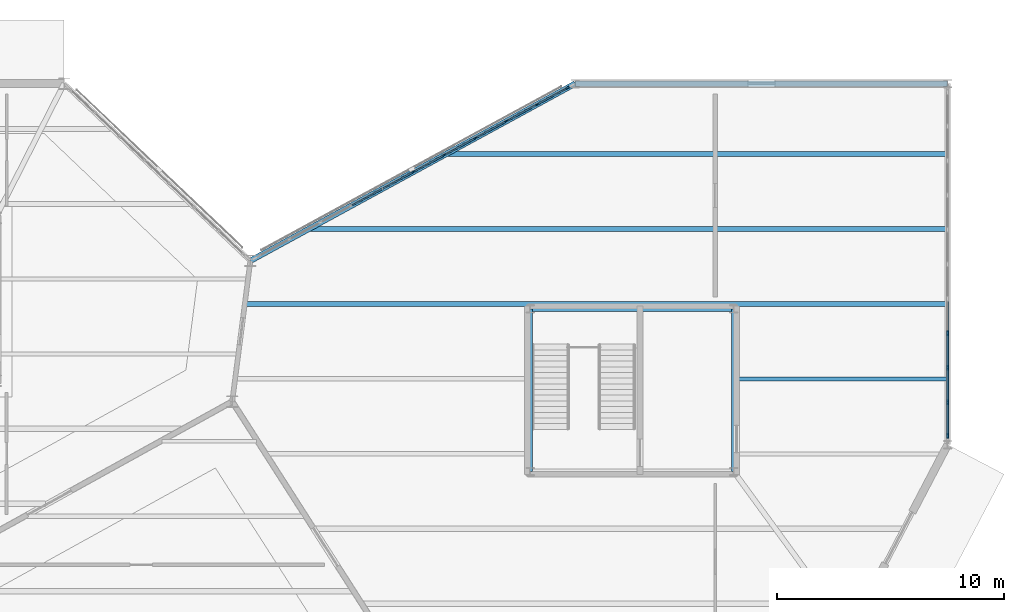
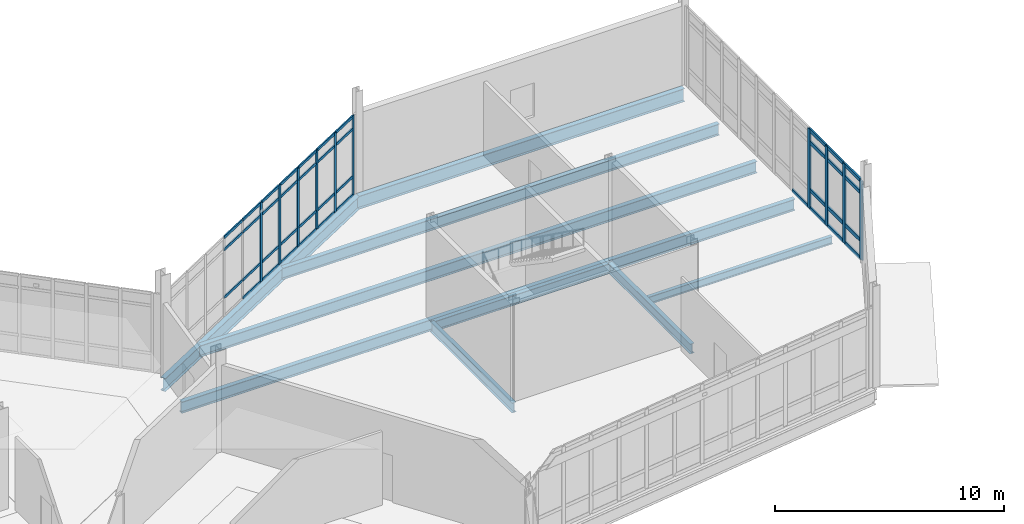
# One storey, part 66 of 113: 50 members, 9 beams, 2 elements without a shape of their own.
"""IFC4 building model written with IfcOpenShell, lengths in metres."""

from ifc_helpers import new_model, si_unit, direction, frame, origin, origin_2d, place, context, subcontext, project, spatial, rectangle, i_section, extrude, material, material_profile, profile_set, type_object, element, aggregate, save


model = new_model("IFC4")

# Units and contexts
model_context = context("Model", 3, precision=1e-05, world=origin(), true_north=direction((0.0, 1.0)))
body_context = subcontext(model_context, "Body", "Model", "MODEL_VIEW")
ifc_project = project(units=[si_unit("LENGTHUNIT", "METRE"), si_unit("AREAUNIT", "SQUARE_METRE"), si_unit("VOLUMEUNIT", "CUBIC_METRE"), si_unit("PLANEANGLEUNIT", "RADIAN"), si_unit("MASSUNIT", "GRAM", prefix="KILO")], contexts=[model_context])

# Site, building, storey
site_placement = place(None, origin())
site = spatial("IfcSite", under=ifc_project, at=site_placement, CompositionType="ELEMENT")
building_placement = place(site_placement, origin())
building = spatial("IfcBuilding", under=site, at=building_placement, Name="Tameran Prism Museum", CompositionType="ELEMENT")
storey_placement = place(building_placement, origin())
storey = spatial("IfcBuildingStorey", under=building, at=storey_placement, Name="L00", CompositionType="ELEMENT", Elevation=0.0)

# Beams
ifc_material_1 = material(Name="Steel Grade 300PLUS (300 MPa)", Category="steel")
ifc_material_profile_1 = material_profile(ifc_material_1, i_section(OverallWidth=0.177978515625, OverallDepth=0.403076171875, WebThickness=0.007568359375, FlangeThickness=0.010986328125, FilletRadius=0.011474609375, at=origin_2d()))
ifc_profile_set_1 = profile_set([ifc_material_profile_1])
beam_type_1 = type_object("IfcBeamType", Name="BM-J410B", PredefinedType="JOIST", material=ifc_profile_set_1)
beam_1_placement = place(storey_placement, frame((156.97998046875, 99.0, -0.44140625), z_axis=(1.0, 0.0, 0.0), x_axis=(0.0, 1.0, 0.0)))
element("IfcBeam", 1, at=beam_1_placement, inside=storey, type_object=beam_type_1, Name="Floor Beam BM-0195", PredefinedType="JOIST", context=body_context, shape_type="SweptSolid", body=[
    extrude(i_section(OverallWidth=0.177978515625, OverallDepth=0.403076171875, WebThickness=0.007568359375, FlangeThickness=0.010986328125, FilletRadius=0.011474609375, at=origin_2d()), origin(), (0.0, 0.0, 1.0), 9.380126953125),
])
ifc_material_2 = material(Name="Steel Grade 300PLUS (300 MPa)", Category="steel")
ifc_material_profile_2 = material_profile(ifc_material_2, i_section(OverallWidth=0.208984375, OverallDepth=0.528076171875, WebThickness=0.009521484375, FlangeThickness=0.01318359375, FilletRadius=0.013916015625, at=origin_2d()))
ifc_profile_set_2 = profile_set([ifc_material_profile_2])
beam_type_2 = type_object("IfcBeamType", Name="BM-SP530B", PredefinedType="SPANDREL", material=ifc_profile_set_2)
beam_2_placement = place(storey_placement, frame((156.97998046875, 94.919921875, -0.50390625), z_axis=(0.0, 1.0, 0.0), x_axis=(-1.0, 0.0, 0.0)))
element("IfcBeam", 2, at=beam_2_placement, inside=storey, type_object=beam_type_2, Name="Core Ring Beam CTB-0143", PredefinedType="SPANDREL", context=body_context, shape_type="SweptSolid", body=[
    extrude(i_section(OverallWidth=0.208984375, OverallDepth=0.528076171875, WebThickness=0.009521484375, FlangeThickness=0.01318359375, FilletRadius=0.013916015625, at=origin_2d()), origin(), (0.0, 0.0, 1.0), 7.16015625),
])
beam_3_placement = place(storey_placement, frame((156.97998046875, 102.080078125, -0.50390625), z_axis=(-1.0, 0.0, 0.0), x_axis=(0.0, -1.0, 0.0)))
element("IfcBeam", 3, at=beam_3_placement, inside=storey, type_object=beam_type_2, Name="Core Ring Beam CTB-0144", PredefinedType="SPANDREL", context=body_context, shape_type="SweptSolid", body=[
    extrude(i_section(OverallWidth=0.208984375, OverallDepth=0.528076171875, WebThickness=0.009521484375, FlangeThickness=0.01318359375, FilletRadius=0.013916015625, at=origin_2d()), origin(), (0.0, 0.0, 1.0), 8.9599609375),
])
beam_4_placement = place(storey_placement, frame((148.02001953125, 102.080078125, -0.50390625), z_axis=(0.0, -1.0, 0.0), x_axis=(1.0, 0.0, 0.0)))
element("IfcBeam", 4, at=beam_4_placement, inside=storey, type_object=beam_type_2, Name="Core Ring Beam CTB-0145", PredefinedType="SPANDREL", context=body_context, shape_type="SweptSolid", body=[
    extrude(i_section(OverallWidth=0.208984375, OverallDepth=0.528076171875, WebThickness=0.009521484375, FlangeThickness=0.01318359375, FilletRadius=0.013916015625, at=origin_2d()), origin(), (0.0, 0.0, 1.0), 7.16015625),
])
ifc_material_3 = material(Name="Steel Grade 350 (350 MPa)", Category="steel")
ifc_material_profile_3 = material_profile(ifc_material_3, i_section(OverallWidth=0.25, OverallDepth=0.699951171875, WebThickness=0.010009765625, FlangeThickness=0.02001953125, at=origin_2d()))
ifc_profile_set_3 = profile_set([ifc_material_profile_3])
beam_type_3 = type_object("IfcBeamType", Name="BM-SP700", PredefinedType="SPANDREL", material=ifc_profile_set_3)
beam_5_placement = place(storey_placement, frame((166.39990234375, 112.0, -0.590087890625), z_axis=(-1.0, 0.0, 0.0), x_axis=(0.0, -1.0, 0.0)))
element("IfcBeam", 5, at=beam_5_placement, inside=storey, type_object=beam_type_3, Name="Perimeter Spandrel SP-0019", PredefinedType="SPANDREL", context=body_context, shape_type="SweptSolid", body=[
    extrude(i_section(OverallWidth=0.25, OverallDepth=0.699951171875, WebThickness=0.010009765625, FlangeThickness=0.02001953125, at=origin_2d()), origin(), (0.0, 0.0, 1.0), 16.39990234375),
])
beam_6_placement = place(storey_placement, frame((150.0, 112.0, -0.590087890625), z_axis=(-0.877895000122, -0.478853180798, 0.0), x_axis=(0.478853180798, -0.877895000122, 0.0)))
element("IfcBeam", 6, at=beam_6_placement, inside=storey, type_object=beam_type_3, Name="Perimeter Spandrel SP-0020", PredefinedType="SPANDREL", context=body_context, shape_type="SweptSolid", body=[
    extrude(i_section(OverallWidth=0.25, OverallDepth=0.699951171875, WebThickness=0.010009765625, FlangeThickness=0.02001953125, at=origin_2d()), origin(), (0.0, 0.0, 1.0), 16.2890625),
])
ifc_material_4 = material(Name="Steel Grade 300PLUS (300 MPa)", Category="steel")
ifc_material_profile_4 = material_profile(ifc_material_4, i_section(OverallWidth=0.22802734375, OverallDepth=0.60693359375, WebThickness=0.01123046875, FlangeThickness=0.017333984375, FilletRadius=0.013916015625, at=origin_2d()))
ifc_profile_set_4 = profile_set([ifc_material_profile_4])
beam_type_4 = type_object("IfcBeamType", Name="BM-UB610B", PredefinedType="BEAM", material=ifc_profile_set_4)
beam_7_placement = place(storey_placement, frame((135.4951171875, 102.300048828125, -0.54345703125), z_axis=(1.0, 0.0, 0.0), x_axis=(0.0, 1.0, 0.0)))
element("IfcBeam", 7, at=beam_7_placement, inside=storey, type_object=beam_type_4, Name="Floor Beam BM-0196", PredefinedType="BEAM", context=body_context, shape_type="SweptSolid", body=[
    extrude(i_section(OverallWidth=0.22802734375, OverallDepth=0.60693359375, WebThickness=0.01123046875, FlangeThickness=0.017333984375, FilletRadius=0.013916015625, at=origin_2d()), origin(), (0.0, 0.0, 1.0), 30.864990234375),
])
beam_8_placement = place(storey_placement, frame((138.35009765625, 105.60009765625, -0.54345703125), z_axis=(1.0, 0.0, 0.0), x_axis=(0.0, 1.0, 0.0)))
element("IfcBeam", 8, at=beam_8_placement, inside=storey, type_object=beam_type_4, Name="Floor Beam BM-0197", PredefinedType="BEAM", context=body_context, shape_type="SweptSolid", body=[
    extrude(i_section(OverallWidth=0.22802734375, OverallDepth=0.60693359375, WebThickness=0.01123046875, FlangeThickness=0.017333984375, FilletRadius=0.013916015625, at=origin_2d()), origin(), (0.0, 0.0, 1.0), 28.010009765625),
])
beam_9_placement = place(storey_placement, frame((144.39990234375, 108.89990234375, -0.54345703125), z_axis=(1.0, 0.0, 0.0), x_axis=(0.0, 1.0, 0.0)))
element("IfcBeam", 9, at=beam_9_placement, inside=storey, type_object=beam_type_4, Name="Floor Beam BM-0198", PredefinedType="BEAM", context=body_context, shape_type="SweptSolid", body=[
    extrude(i_section(OverallWidth=0.22802734375, OverallDepth=0.60693359375, WebThickness=0.01123046875, FlangeThickness=0.017333984375, FilletRadius=0.013916015625, at=origin_2d()), origin(), (0.0, 0.0, 1.0), 21.960205078125),
])

# Curtain wall, members
ifc_material_5 = material(Name="Anodised Aluminium 6063-T6 and Cyclone Solar Glass", Category="aluminium")
curtain_wall_type_1 = type_object("IfcCurtainWallType", Name="CW-FAC-1553x422", PredefinedType="USERDEFINED", material=ifc_material_5)
curtain_wall_1_placement = place(storey_placement, origin())
curtain_wall_1 = element("IfcCurtainWall", 10, at=curtain_wall_1_placement, inside=storey, type_object=curtain_wall_type_1, Name="Unitised Curtain Wall CW-027", ObjectType="UNITISED CURTAIN WALL", PredefinedType="USERDEFINED")
ifc_material_6 = material(Name="Anodised Aluminium Alloy 6063-T6", Category="aluminium")
ifc_material_profile_5 = material_profile(ifc_material_6, rectangle(XDim=0.06494140625, YDim=0.159912109375, at=origin_2d()))
ifc_profile_set_5 = profile_set([ifc_material_profile_5])
member_type_1 = type_object("IfcMemberType", Name="CW-MUL-A", PredefinedType="MULLION", material=ifc_profile_set_5)
member_1_placement = place(storey_placement, frame((142.87646484375, 108.114501953125, 0.0), z_axis=(0.0, 0.0, 1.0), x_axis=(-0.478793474805, 0.877927564486, 0.0)))
member_1 = element("IfcMember", 11, at=member_1_placement, type_object=member_type_1, Name="CW-027 mullion 6", PredefinedType="MULLION", context=body_context, shape_type="SweptSolid", body=[
    extrude(rectangle(XDim=0.06494140625, YDim=0.159912109375, at=origin_2d()), origin(), (0.0, 0.0, 1.0), 4.219970703125),
])
member_2_placement = place(storey_placement, frame((144.23974609375, 108.85791015625, 0.0), z_axis=(0.0, 0.0, 1.0), x_axis=(-0.478793474805, 0.877927564486, 0.0)))
member_2 = element("IfcMember", 12, at=member_2_placement, type_object=member_type_1, Name="CW-027 mullion 7", PredefinedType="MULLION", context=body_context, shape_type="SweptSolid", body=[
    extrude(rectangle(XDim=0.06494140625, YDim=0.159912109375, at=origin_2d()), origin(), (0.0, 0.0, 1.0), 4.219970703125),
])
member_3_placement = place(storey_placement, frame((145.60302734375, 109.6015625, 0.0), z_axis=(0.0, 0.0, 1.0), x_axis=(-0.478793474805, 0.877927564486, 0.0)))
member_3 = element("IfcMember", 13, at=member_3_placement, type_object=member_type_1, Name="CW-027 mullion 8", PredefinedType="MULLION", context=body_context, shape_type="SweptSolid", body=[
    extrude(rectangle(XDim=0.06494140625, YDim=0.159912109375, at=origin_2d()), origin(), (0.0, 0.0, 1.0), 4.219970703125),
])
member_4_placement = place(storey_placement, frame((146.96630859375, 110.344970703125, 0.0), z_axis=(0.0, 0.0, 1.0), x_axis=(-0.478793474805, 0.877927564486, 0.0)))
member_4 = element("IfcMember", 14, at=member_4_placement, type_object=member_type_1, Name="CW-027 mullion 9", PredefinedType="MULLION", context=body_context, shape_type="SweptSolid", body=[
    extrude(rectangle(XDim=0.06494140625, YDim=0.159912109375, at=origin_2d()), origin(), (0.0, 0.0, 1.0), 4.219970703125),
])
member_5_placement = place(storey_placement, frame((148.32958984375, 111.08837890625, 0.0), z_axis=(0.0, 0.0, 1.0), x_axis=(-0.478793474805, 0.877927564486, 0.0)))
member_5 = element("IfcMember", 15, at=member_5_placement, type_object=member_type_1, Name="CW-027 mullion 10", PredefinedType="MULLION", context=body_context, shape_type="SweptSolid", body=[
    extrude(rectangle(XDim=0.06494140625, YDim=0.159912109375, at=origin_2d()), origin(), (0.0, 0.0, 1.0), 4.219970703125),
])
member_6_placement = place(storey_placement, frame((149.66455078125, 111.81640625, 0.0), z_axis=(0.0, 0.0, 1.0), x_axis=(-0.478793474805, 0.877927564486, 0.0)))
member_6 = element("IfcMember", 16, at=member_6_placement, type_object=member_type_1, Name="CW-027 mullion 11", PredefinedType="MULLION", context=body_context, shape_type="SweptSolid", body=[
    extrude(rectangle(XDim=0.06494140625, YDim=0.159912109375, at=origin_2d()), origin(), (0.0, 0.0, 1.0), 4.219970703125),
])

ifc_material_7 = material(Name="Anodised Aluminium 6063-T6 and Cyclone Solar Glass", Category="aluminium")
curtain_wall_type_2 = type_object("IfcCurtainWallType", Name="CW-FAC-1520x422", PredefinedType="USERDEFINED", material=ifc_material_7)
curtain_wall_2_placement = place(storey_placement, origin())
curtain_wall_2 = element("IfcCurtainWall", 17, at=curtain_wall_2_placement, inside=storey, type_object=curtain_wall_type_2, Name="Unitised Curtain Wall CW-026", ObjectType="UNITISED CURTAIN WALL", PredefinedType="USERDEFINED")
ifc_material_8 = material(Name="Anodised Aluminium Alloy 6063-T6", Category="aluminium")
ifc_material_profile_6 = material_profile(ifc_material_8, rectangle(XDim=0.080078125, YDim=0.219970703125, at=origin_2d()))
ifc_profile_set_6 = profile_set([ifc_material_profile_6])
member_type_2 = type_object("IfcMemberType", Name="CW-MUL-D", PredefinedType="MULLION", material=ifc_profile_set_6)
member_7_placement = place(storey_placement, frame((166.39990234375, 101.010009765625, 0.0), z_axis=(0.0, 0.0, 1.0), x_axis=(1.0, 0.0, 0.0)))
member_7 = element("IfcMember", 18, at=member_7_placement, type_object=member_type_2, Name="CW-026 mullion 8", PredefinedType="MULLION", context=body_context, shape_type="SweptSolid", body=[
    extrude(rectangle(XDim=0.080078125, YDim=0.219970703125, at=origin_2d()), origin(), (0.0, 0.0, 1.0), 4.219970703125),
])
member_8_placement = place(storey_placement, frame((166.39990234375, 99.489990234375, 0.0), z_axis=(0.0, 0.0, 1.0), x_axis=(1.0, 0.0, 0.0)))
member_8 = element("IfcMember", 19, at=member_8_placement, type_object=member_type_2, Name="CW-026 mullion 9", PredefinedType="MULLION", context=body_context, shape_type="SweptSolid", body=[
    extrude(rectangle(XDim=0.080078125, YDim=0.219970703125, at=origin_2d()), origin(), (0.0, 0.0, 1.0), 4.219970703125),
])
member_9_placement = place(storey_placement, frame((166.39990234375, 97.969970703125, 0.0), z_axis=(0.0, 0.0, 1.0), x_axis=(1.0, 0.0, 0.0)))
member_9 = element("IfcMember", 20, at=member_9_placement, type_object=member_type_2, Name="CW-026 mullion 10", PredefinedType="MULLION", context=body_context, shape_type="SweptSolid", body=[
    extrude(rectangle(XDim=0.080078125, YDim=0.219970703125, at=origin_2d()), origin(), (0.0, 0.0, 1.0), 4.219970703125),
])
member_10_placement = place(storey_placement, frame((166.39990234375, 96.489990234375, 0.0), z_axis=(0.0, 0.0, 1.0), x_axis=(1.0, 0.0, 0.0)))
member_10 = element("IfcMember", 21, at=member_10_placement, type_object=member_type_2, Name="CW-026 mullion 11", PredefinedType="MULLION", context=body_context, shape_type="SweptSolid", body=[
    extrude(rectangle(XDim=0.080078125, YDim=0.219970703125, at=origin_2d()), origin(), (0.0, 0.0, 1.0), 4.219970703125),
])

# Member
ifc_material_9 = material(Name="Anodised Aluminium Alloy 6063-T6", Category="aluminium")
ifc_material_profile_7 = material_profile(ifc_material_9, rectangle(XDim=0.06494140625, YDim=0.139892578125, at=origin_2d()))
ifc_profile_set_7 = profile_set([ifc_material_profile_7])
member_type_3 = type_object("IfcMemberType", Name="CW-TRN-A", PredefinedType="USERDEFINED", material=ifc_profile_set_7)
member_11_placement = place(storey_placement, frame((140.178466796875, 106.64306640625, 1.0), z_axis=(0.877908114904, 0.478829136316, 0.0), x_axis=(-0.478829136316, 0.877908114904, 0.0)))
member_11 = element("IfcMember", 22, at=member_11_placement, type_object=member_type_3, Name="CW-027 transom 4.2", ObjectType="TRANSOM", PredefinedType="USERDEFINED", context=body_context, shape_type="SweptSolid", body=[
    extrude(rectangle(XDim=0.06494140625, YDim=0.139892578125, at=origin_2d()), origin(), (0.0, 0.0, 1.0), 1.48779296875),
])

member_12_placement = place(storey_placement, frame((140.178466796875, 106.64306640625, 3.5400390625), z_axis=(0.877908114904, 0.478829136316, 0.0), x_axis=(-0.478829136316, 0.877908114904, 0.0)))
member_12 = element("IfcMember", 23, at=member_12_placement, type_object=member_type_3, Name="CW-027 transom 4.3", ObjectType="TRANSOM", PredefinedType="USERDEFINED", context=body_context, shape_type="SweptSolid", body=[
    extrude(rectangle(XDim=0.06494140625, YDim=0.139892578125, at=origin_2d()), origin(), (0.0, 0.0, 1.0), 1.48779296875),
])

member_13_placement = place(storey_placement, frame((140.178466796875, 106.64306640625, 4.1875), z_axis=(0.877908114904, 0.478829136316, 0.0), x_axis=(-0.478829136316, 0.877908114904, 0.0)))
member_13 = element("IfcMember", 24, at=member_13_placement, type_object=member_type_3, Name="CW-027 transom 4.4", ObjectType="TRANSOM", PredefinedType="USERDEFINED", context=body_context, shape_type="SweptSolid", body=[
    extrude(rectangle(XDim=0.06494140625, YDim=0.139892578125, at=origin_2d()), origin(), (0.0, 0.0, 1.0), 1.48779296875),
])

member_14_placement = place(storey_placement, frame((141.541748046875, 107.386474609375, 0.032470703125), z_axis=(0.877908114904, 0.478829136316, 0.0), x_axis=(-0.478829136316, 0.877908114904, 0.0)))
member_14 = element("IfcMember", 25, at=member_14_placement, type_object=member_type_3, Name="CW-027 transom 5.1", ObjectType="TRANSOM", PredefinedType="USERDEFINED", context=body_context, shape_type="SweptSolid", body=[
    extrude(rectangle(XDim=0.06494140625, YDim=0.139892578125, at=origin_2d()), origin(), (0.0, 0.0, 1.0), 1.48779296875),
])

member_15_placement = place(storey_placement, frame((141.541748046875, 107.386474609375, 1.0), z_axis=(0.877908114904, 0.478829136316, 0.0), x_axis=(-0.478829136316, 0.877908114904, 0.0)))
member_15 = element("IfcMember", 26, at=member_15_placement, type_object=member_type_3, Name="CW-027 transom 5.2", ObjectType="TRANSOM", PredefinedType="USERDEFINED", context=body_context, shape_type="SweptSolid", body=[
    extrude(rectangle(XDim=0.06494140625, YDim=0.139892578125, at=origin_2d()), origin(), (0.0, 0.0, 1.0), 1.48779296875),
])

member_16_placement = place(storey_placement, frame((141.541748046875, 107.386474609375, 3.5400390625), z_axis=(0.877908114904, 0.478829136316, 0.0), x_axis=(-0.478829136316, 0.877908114904, 0.0)))
member_16 = element("IfcMember", 27, at=member_16_placement, type_object=member_type_3, Name="CW-027 transom 5.3", ObjectType="TRANSOM", PredefinedType="USERDEFINED", context=body_context, shape_type="SweptSolid", body=[
    extrude(rectangle(XDim=0.06494140625, YDim=0.139892578125, at=origin_2d()), origin(), (0.0, 0.0, 1.0), 1.48779296875),
])

member_17_placement = place(storey_placement, frame((141.541748046875, 107.386474609375, 4.1875), z_axis=(0.877908114904, 0.478829136316, 0.0), x_axis=(-0.478829136316, 0.877908114904, 0.0)))
member_17 = element("IfcMember", 28, at=member_17_placement, type_object=member_type_3, Name="CW-027 transom 5.4", ObjectType="TRANSOM", PredefinedType="USERDEFINED", context=body_context, shape_type="SweptSolid", body=[
    extrude(rectangle(XDim=0.06494140625, YDim=0.139892578125, at=origin_2d()), origin(), (0.0, 0.0, 1.0), 1.48779296875),
])

member_18_placement = place(storey_placement, frame((142.905029296875, 108.130126953125, 0.032470703125), z_axis=(0.877908114904, 0.478829136316, 0.0), x_axis=(-0.478829136316, 0.877908114904, 0.0)))
member_18 = element("IfcMember", 29, at=member_18_placement, type_object=member_type_3, Name="CW-027 transom 6.1", ObjectType="TRANSOM", PredefinedType="USERDEFINED", context=body_context, shape_type="SweptSolid", body=[
    extrude(rectangle(XDim=0.06494140625, YDim=0.139892578125, at=origin_2d()), origin(), (0.0, 0.0, 1.0), 1.48779296875),
])

member_19_placement = place(storey_placement, frame((142.905029296875, 108.130126953125, 1.0), z_axis=(0.877908114904, 0.478829136316, 0.0), x_axis=(-0.478829136316, 0.877908114904, 0.0)))
member_19 = element("IfcMember", 30, at=member_19_placement, type_object=member_type_3, Name="CW-027 transom 6.2", ObjectType="TRANSOM", PredefinedType="USERDEFINED", context=body_context, shape_type="SweptSolid", body=[
    extrude(rectangle(XDim=0.06494140625, YDim=0.139892578125, at=origin_2d()), origin(), (0.0, 0.0, 1.0), 1.48779296875),
])

member_20_placement = place(storey_placement, frame((142.905029296875, 108.130126953125, 3.5400390625), z_axis=(0.877908114904, 0.478829136316, 0.0), x_axis=(-0.478829136316, 0.877908114904, 0.0)))
member_20 = element("IfcMember", 31, at=member_20_placement, type_object=member_type_3, Name="CW-027 transom 6.3", ObjectType="TRANSOM", PredefinedType="USERDEFINED", context=body_context, shape_type="SweptSolid", body=[
    extrude(rectangle(XDim=0.06494140625, YDim=0.139892578125, at=origin_2d()), origin(), (0.0, 0.0, 1.0), 1.48779296875),
])

member_21_placement = place(storey_placement, frame((142.905029296875, 108.130126953125, 4.1875), z_axis=(0.877908114904, 0.478829136316, 0.0), x_axis=(-0.478829136316, 0.877908114904, 0.0)))
member_21 = element("IfcMember", 32, at=member_21_placement, type_object=member_type_3, Name="CW-027 transom 6.4", ObjectType="TRANSOM", PredefinedType="USERDEFINED", context=body_context, shape_type="SweptSolid", body=[
    extrude(rectangle(XDim=0.06494140625, YDim=0.139892578125, at=origin_2d()), origin(), (0.0, 0.0, 1.0), 1.48779296875),
])

member_22_placement = place(storey_placement, frame((144.268310546875, 108.87353515625, 0.032470703125), z_axis=(0.877908114904, 0.478829136316, 0.0), x_axis=(-0.478829136316, 0.877908114904, 0.0)))
member_22 = element("IfcMember", 33, at=member_22_placement, type_object=member_type_3, Name="CW-027 transom 7.1", ObjectType="TRANSOM", PredefinedType="USERDEFINED", context=body_context, shape_type="SweptSolid", body=[
    extrude(rectangle(XDim=0.06494140625, YDim=0.139892578125, at=origin_2d()), origin(), (0.0, 0.0, 1.0), 1.48779296875),
])

member_23_placement = place(storey_placement, frame((144.268310546875, 108.87353515625, 1.0), z_axis=(0.877908114904, 0.478829136316, 0.0), x_axis=(-0.478829136316, 0.877908114904, 0.0)))
member_23 = element("IfcMember", 34, at=member_23_placement, type_object=member_type_3, Name="CW-027 transom 7.2", ObjectType="TRANSOM", PredefinedType="USERDEFINED", context=body_context, shape_type="SweptSolid", body=[
    extrude(rectangle(XDim=0.06494140625, YDim=0.139892578125, at=origin_2d()), origin(), (0.0, 0.0, 1.0), 1.48779296875),
])

member_24_placement = place(storey_placement, frame((144.268310546875, 108.87353515625, 3.5400390625), z_axis=(0.877908114904, 0.478829136316, 0.0), x_axis=(-0.478829136316, 0.877908114904, 0.0)))
member_24 = element("IfcMember", 35, at=member_24_placement, type_object=member_type_3, Name="CW-027 transom 7.3", ObjectType="TRANSOM", PredefinedType="USERDEFINED", context=body_context, shape_type="SweptSolid", body=[
    extrude(rectangle(XDim=0.06494140625, YDim=0.139892578125, at=origin_2d()), origin(), (0.0, 0.0, 1.0), 1.48779296875),
])

member_25_placement = place(storey_placement, frame((144.268310546875, 108.87353515625, 4.1875), z_axis=(0.877908114904, 0.478829136316, 0.0), x_axis=(-0.478829136316, 0.877908114904, 0.0)))
member_25 = element("IfcMember", 36, at=member_25_placement, type_object=member_type_3, Name="CW-027 transom 7.4", ObjectType="TRANSOM", PredefinedType="USERDEFINED", context=body_context, shape_type="SweptSolid", body=[
    extrude(rectangle(XDim=0.06494140625, YDim=0.139892578125, at=origin_2d()), origin(), (0.0, 0.0, 1.0), 1.48779296875),
])

member_26_placement = place(storey_placement, frame((145.631591796875, 109.616943359375, 0.032470703125), z_axis=(0.877945730035, 0.478760164501, 0.0), x_axis=(-0.478760164501, 0.877945730035, 0.0)))
member_26 = element("IfcMember", 37, at=member_26_placement, type_object=member_type_3, Name="CW-027 transom 8.1", ObjectType="TRANSOM", PredefinedType="USERDEFINED", context=body_context, shape_type="SweptSolid", body=[
    extrude(rectangle(XDim=0.06494140625, YDim=0.139892578125, at=origin_2d()), origin(), (0.0, 0.0, 1.0), 1.488037109375),
])

member_27_placement = place(storey_placement, frame((145.631591796875, 109.616943359375, 1.0), z_axis=(0.877945730035, 0.478760164501, 0.0), x_axis=(-0.478760164501, 0.877945730035, 0.0)))
member_27 = element("IfcMember", 38, at=member_27_placement, type_object=member_type_3, Name="CW-027 transom 8.2", ObjectType="TRANSOM", PredefinedType="USERDEFINED", context=body_context, shape_type="SweptSolid", body=[
    extrude(rectangle(XDim=0.06494140625, YDim=0.139892578125, at=origin_2d()), origin(), (0.0, 0.0, 1.0), 1.488037109375),
])

member_28_placement = place(storey_placement, frame((145.631591796875, 109.616943359375, 3.5400390625), z_axis=(0.877945730035, 0.478760164501, 0.0), x_axis=(-0.478760164501, 0.877945730035, 0.0)))
member_28 = element("IfcMember", 39, at=member_28_placement, type_object=member_type_3, Name="CW-027 transom 8.3", ObjectType="TRANSOM", PredefinedType="USERDEFINED", context=body_context, shape_type="SweptSolid", body=[
    extrude(rectangle(XDim=0.06494140625, YDim=0.139892578125, at=origin_2d()), origin(), (0.0, 0.0, 1.0), 1.488037109375),
])

member_29_placement = place(storey_placement, frame((145.631591796875, 109.616943359375, 4.1875), z_axis=(0.877945730035, 0.478760164501, 0.0), x_axis=(-0.478760164501, 0.877945730035, 0.0)))
member_29 = element("IfcMember", 40, at=member_29_placement, type_object=member_type_3, Name="CW-027 transom 8.4", ObjectType="TRANSOM", PredefinedType="USERDEFINED", context=body_context, shape_type="SweptSolid", body=[
    extrude(rectangle(XDim=0.06494140625, YDim=0.139892578125, at=origin_2d()), origin(), (0.0, 0.0, 1.0), 1.488037109375),
])

member_30_placement = place(storey_placement, frame((146.994873046875, 110.360595703125, 0.032470703125), z_axis=(0.877945730035, 0.478760164501, 0.0), x_axis=(-0.478760164501, 0.877945730035, 0.0)))
member_30 = element("IfcMember", 41, at=member_30_placement, type_object=member_type_3, Name="CW-027 transom 9.1", ObjectType="TRANSOM", PredefinedType="USERDEFINED", context=body_context, shape_type="SweptSolid", body=[
    extrude(rectangle(XDim=0.06494140625, YDim=0.139892578125, at=origin_2d()), origin(), (0.0, 0.0, 1.0), 1.488037109375),
])

member_31_placement = place(storey_placement, frame((146.994873046875, 110.360595703125, 1.0), z_axis=(0.877945730035, 0.478760164501, 0.0), x_axis=(-0.478760164501, 0.877945730035, 0.0)))
member_31 = element("IfcMember", 42, at=member_31_placement, type_object=member_type_3, Name="CW-027 transom 9.2", ObjectType="TRANSOM", PredefinedType="USERDEFINED", context=body_context, shape_type="SweptSolid", body=[
    extrude(rectangle(XDim=0.06494140625, YDim=0.139892578125, at=origin_2d()), origin(), (0.0, 0.0, 1.0), 1.488037109375),
])

member_32_placement = place(storey_placement, frame((146.994873046875, 110.360595703125, 3.5400390625), z_axis=(0.877945730035, 0.478760164501, 0.0), x_axis=(-0.478760164501, 0.877945730035, 0.0)))
member_32 = element("IfcMember", 43, at=member_32_placement, type_object=member_type_3, Name="CW-027 transom 9.3", ObjectType="TRANSOM", PredefinedType="USERDEFINED", context=body_context, shape_type="SweptSolid", body=[
    extrude(rectangle(XDim=0.06494140625, YDim=0.139892578125, at=origin_2d()), origin(), (0.0, 0.0, 1.0), 1.488037109375),
])

member_33_placement = place(storey_placement, frame((146.994873046875, 110.360595703125, 4.1875), z_axis=(0.877945730035, 0.478760164501, 0.0), x_axis=(-0.478760164501, 0.877945730035, 0.0)))
member_33 = element("IfcMember", 44, at=member_33_placement, type_object=member_type_3, Name="CW-027 transom 9.4", ObjectType="TRANSOM", PredefinedType="USERDEFINED", context=body_context, shape_type="SweptSolid", body=[
    extrude(rectangle(XDim=0.06494140625, YDim=0.139892578125, at=origin_2d()), origin(), (0.0, 0.0, 1.0), 1.488037109375),
])

member_34_placement = place(storey_placement, frame((148.358154296875, 111.10400390625, 0.032470703125), z_axis=(0.877959670128, 0.47873460041, 0.0), x_axis=(-0.47873460041, 0.877959670128, 0.0)))
member_34 = element("IfcMember", 45, at=member_34_placement, type_object=member_type_3, Name="CW-027 transom 10.1", ObjectType="TRANSOM", PredefinedType="USERDEFINED", context=body_context, shape_type="SweptSolid", body=[
    extrude(rectangle(XDim=0.06494140625, YDim=0.139892578125, at=origin_2d()), origin(), (0.0, 0.0, 1.0), 1.45556640625),
])

member_35_placement = place(storey_placement, frame((148.358154296875, 111.10400390625, 1.0), z_axis=(0.877959670128, 0.47873460041, 0.0), x_axis=(-0.47873460041, 0.877959670128, 0.0)))
member_35 = element("IfcMember", 46, at=member_35_placement, type_object=member_type_3, Name="CW-027 transom 10.2", ObjectType="TRANSOM", PredefinedType="USERDEFINED", context=body_context, shape_type="SweptSolid", body=[
    extrude(rectangle(XDim=0.06494140625, YDim=0.139892578125, at=origin_2d()), origin(), (0.0, 0.0, 1.0), 1.45556640625),
])

member_36_placement = place(storey_placement, frame((148.358154296875, 111.10400390625, 3.5400390625), z_axis=(0.877959670128, 0.47873460041, 0.0), x_axis=(-0.47873460041, 0.877959670128, 0.0)))
member_36 = element("IfcMember", 47, at=member_36_placement, type_object=member_type_3, Name="CW-027 transom 10.3", ObjectType="TRANSOM", PredefinedType="USERDEFINED", context=body_context, shape_type="SweptSolid", body=[
    extrude(rectangle(XDim=0.06494140625, YDim=0.139892578125, at=origin_2d()), origin(), (0.0, 0.0, 1.0), 1.45556640625),
])

member_37_placement = place(storey_placement, frame((148.358154296875, 111.10400390625, 4.1875), z_axis=(0.877959670128, 0.47873460041, 0.0), x_axis=(-0.47873460041, 0.877959670128, 0.0)))
member_37 = element("IfcMember", 48, at=member_37_placement, type_object=member_type_3, Name="CW-027 transom 10.4", ObjectType="TRANSOM", PredefinedType="USERDEFINED", context=body_context, shape_type="SweptSolid", body=[
    extrude(rectangle(XDim=0.06494140625, YDim=0.139892578125, at=origin_2d()), origin(), (0.0, 0.0, 1.0), 1.45556640625),
])

aggregate(curtain_wall_1, [member_1, member_2, member_3, member_4, member_5, member_6, member_11, member_12, member_13, member_14, member_15, member_16, member_17, member_18, member_19, member_20, member_21, member_22, member_23, member_24, member_25, member_26, member_27, member_28, member_29, member_30, member_31, member_32, member_33, member_34, member_35, member_36, member_37])

ifc_material_10 = material(Name="Anodised Aluminium Alloy 6063-T6", Category="aluminium")
ifc_material_profile_8 = material_profile(ifc_material_10, rectangle(XDim=0.080078125, YDim=0.195068359375, at=origin_2d()))
ifc_profile_set_8 = profile_set([ifc_material_profile_8])
member_type_4 = type_object("IfcMemberType", Name="CW-TRN-D", PredefinedType="USERDEFINED", material=ifc_profile_set_8)
member_38_placement = place(storey_placement, frame((166.39990234375, 102.489990234375, 0.0400390625), z_axis=(0.0, -1.0, 0.0), x_axis=(1.0, 0.0, 0.0)))
member_38 = element("IfcMember", 49, at=member_38_placement, type_object=member_type_4, Name="CW-026 transom 7.1", ObjectType="TRANSOM", PredefinedType="USERDEFINED", context=body_context, shape_type="SweptSolid", body=[
    extrude(rectangle(XDim=0.080078125, YDim=0.195068359375, at=origin_2d()), origin(), (0.0, 0.0, 1.0), 1.43994140625),
])

member_39_placement = place(storey_placement, frame((166.39990234375, 100.969970703125, 0.0400390625), z_axis=(0.0, -1.0, 0.0), x_axis=(1.0, 0.0, 0.0)))
member_39 = element("IfcMember", 50, at=member_39_placement, type_object=member_type_4, Name="CW-026 transom 8.1", ObjectType="TRANSOM", PredefinedType="USERDEFINED", context=body_context, shape_type="SweptSolid", body=[
    extrude(rectangle(XDim=0.080078125, YDim=0.195068359375, at=origin_2d()), origin(), (0.0, 0.0, 1.0), 1.43994140625),
])

member_40_placement = place(storey_placement, frame((166.39990234375, 100.969970703125, 1.0), z_axis=(0.0, -1.0, 0.0), x_axis=(1.0, 0.0, 0.0)))
member_40 = element("IfcMember", 51, at=member_40_placement, type_object=member_type_4, Name="CW-026 transom 8.2", ObjectType="TRANSOM", PredefinedType="USERDEFINED", context=body_context, shape_type="SweptSolid", body=[
    extrude(rectangle(XDim=0.080078125, YDim=0.195068359375, at=origin_2d()), origin(), (0.0, 0.0, 1.0), 1.43994140625),
])

member_41_placement = place(storey_placement, frame((166.39990234375, 100.969970703125, 3.5400390625), z_axis=(0.0, -1.0, 0.0), x_axis=(1.0, 0.0, 0.0)))
member_41 = element("IfcMember", 52, at=member_41_placement, type_object=member_type_4, Name="CW-026 transom 8.3", ObjectType="TRANSOM", PredefinedType="USERDEFINED", context=body_context, shape_type="SweptSolid", body=[
    extrude(rectangle(XDim=0.080078125, YDim=0.195068359375, at=origin_2d()), origin(), (0.0, 0.0, 1.0), 1.43994140625),
])

member_42_placement = place(storey_placement, frame((166.39990234375, 100.969970703125, 4.179931640625), z_axis=(0.0, -1.0, 0.0), x_axis=(1.0, 0.0, 0.0)))
member_42 = element("IfcMember", 53, at=member_42_placement, type_object=member_type_4, Name="CW-026 transom 8.4", ObjectType="TRANSOM", PredefinedType="USERDEFINED", context=body_context, shape_type="SweptSolid", body=[
    extrude(rectangle(XDim=0.080078125, YDim=0.195068359375, at=origin_2d()), origin(), (0.0, 0.0, 1.0), 1.43994140625),
])

member_43_placement = place(storey_placement, frame((166.39990234375, 99.449951171875, 0.0400390625), z_axis=(0.0, -1.0, 0.0), x_axis=(1.0, 0.0, 0.0)))
member_43 = element("IfcMember", 54, at=member_43_placement, type_object=member_type_4, Name="CW-026 transom 9.1", ObjectType="TRANSOM", PredefinedType="USERDEFINED", context=body_context, shape_type="SweptSolid", body=[
    extrude(rectangle(XDim=0.080078125, YDim=0.195068359375, at=origin_2d()), origin(), (0.0, 0.0, 1.0), 1.43994140625),
])

member_44_placement = place(storey_placement, frame((166.39990234375, 99.449951171875, 1.0), z_axis=(0.0, -1.0, 0.0), x_axis=(1.0, 0.0, 0.0)))
member_44 = element("IfcMember", 55, at=member_44_placement, type_object=member_type_4, Name="CW-026 transom 9.2", ObjectType="TRANSOM", PredefinedType="USERDEFINED", context=body_context, shape_type="SweptSolid", body=[
    extrude(rectangle(XDim=0.080078125, YDim=0.195068359375, at=origin_2d()), origin(), (0.0, 0.0, 1.0), 1.43994140625),
])

member_45_placement = place(storey_placement, frame((166.39990234375, 99.449951171875, 3.5400390625), z_axis=(0.0, -1.0, 0.0), x_axis=(1.0, 0.0, 0.0)))
member_45 = element("IfcMember", 56, at=member_45_placement, type_object=member_type_4, Name="CW-026 transom 9.3", ObjectType="TRANSOM", PredefinedType="USERDEFINED", context=body_context, shape_type="SweptSolid", body=[
    extrude(rectangle(XDim=0.080078125, YDim=0.195068359375, at=origin_2d()), origin(), (0.0, 0.0, 1.0), 1.43994140625),
])

member_46_placement = place(storey_placement, frame((166.39990234375, 99.449951171875, 4.179931640625), z_axis=(0.0, -1.0, 0.0), x_axis=(1.0, 0.0, 0.0)))
member_46 = element("IfcMember", 57, at=member_46_placement, type_object=member_type_4, Name="CW-026 transom 9.4", ObjectType="TRANSOM", PredefinedType="USERDEFINED", context=body_context, shape_type="SweptSolid", body=[
    extrude(rectangle(XDim=0.080078125, YDim=0.195068359375, at=origin_2d()), origin(), (0.0, 0.0, 1.0), 1.43994140625),
])

member_47_placement = place(storey_placement, frame((166.39990234375, 97.929931640625, 0.0400390625), z_axis=(0.0, -1.0, 0.0), x_axis=(1.0, 0.0, 0.0)))
member_47 = element("IfcMember", 58, at=member_47_placement, type_object=member_type_4, Name="CW-026 transom 10.1", ObjectType="TRANSOM", PredefinedType="USERDEFINED", context=body_context, shape_type="SweptSolid", body=[
    extrude(rectangle(XDim=0.080078125, YDim=0.195068359375, at=origin_2d()), origin(), (0.0, 0.0, 1.0), 1.39990234375),
])

member_48_placement = place(storey_placement, frame((166.39990234375, 97.929931640625, 1.0), z_axis=(0.0, -1.0, 0.0), x_axis=(1.0, 0.0, 0.0)))
member_48 = element("IfcMember", 59, at=member_48_placement, type_object=member_type_4, Name="CW-026 transom 10.2", ObjectType="TRANSOM", PredefinedType="USERDEFINED", context=body_context, shape_type="SweptSolid", body=[
    extrude(rectangle(XDim=0.080078125, YDim=0.195068359375, at=origin_2d()), origin(), (0.0, 0.0, 1.0), 1.39990234375),
])

member_49_placement = place(storey_placement, frame((166.39990234375, 97.929931640625, 3.5400390625), z_axis=(0.0, -1.0, 0.0), x_axis=(1.0, 0.0, 0.0)))
member_49 = element("IfcMember", 60, at=member_49_placement, type_object=member_type_4, Name="CW-026 transom 10.3", ObjectType="TRANSOM", PredefinedType="USERDEFINED", context=body_context, shape_type="SweptSolid", body=[
    extrude(rectangle(XDim=0.080078125, YDim=0.195068359375, at=origin_2d()), origin(), (0.0, 0.0, 1.0), 1.39990234375),
])

member_50_placement = place(storey_placement, frame((166.39990234375, 97.929931640625, 4.179931640625), z_axis=(0.0, -1.0, 0.0), x_axis=(1.0, 0.0, 0.0)))
member_50 = element("IfcMember", 61, at=member_50_placement, type_object=member_type_4, Name="CW-026 transom 10.4", ObjectType="TRANSOM", PredefinedType="USERDEFINED", context=body_context, shape_type="SweptSolid", body=[
    extrude(rectangle(XDim=0.080078125, YDim=0.195068359375, at=origin_2d()), origin(), (0.0, 0.0, 1.0), 1.39990234375),
])

aggregate(curtain_wall_2, [member_7, member_8, member_9, member_10, member_38, member_39, member_40, member_41, member_42, member_43, member_44, member_45, member_46, member_47, member_48, member_49, member_50])

save(model, "model.ifc")
